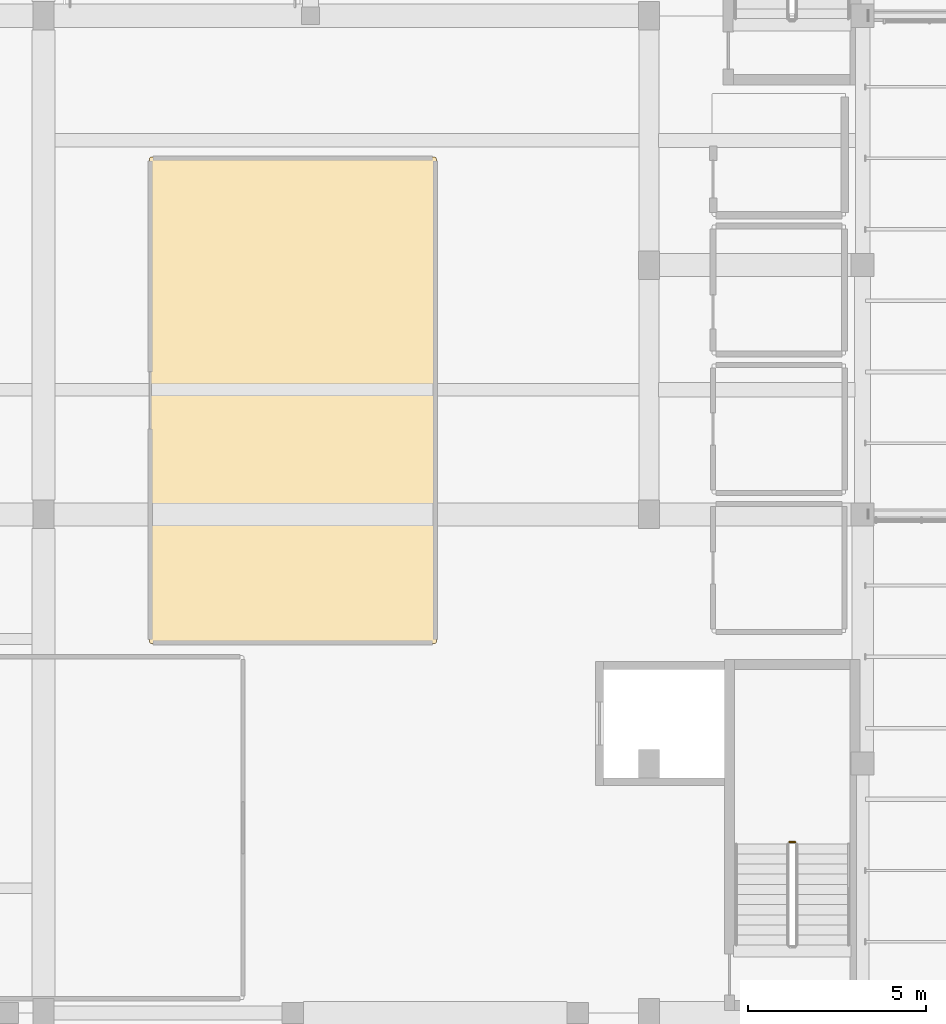
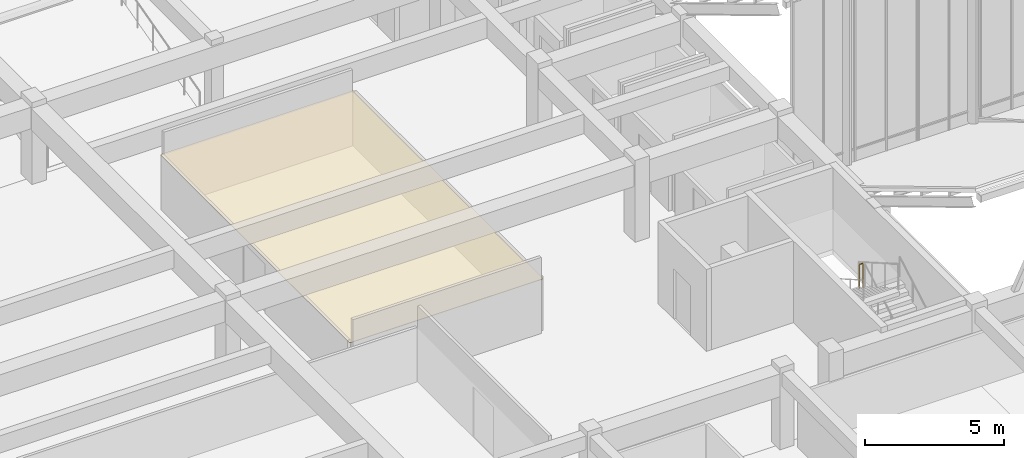
# One storey, part 148 of 155: 1 covering, 1 railing.
"""IFC4 building model written with IfcOpenShell, lengths in metres."""

from ifc_helpers import new_model, si_unit, direction, frame, origin, origin_2d, place, context, subcontext, project, spatial, polyline, circle, outline, extrude, material, layer, layer_set, type_object, element, save


model = new_model("IFC4")

# Units and contexts
model_context = context("Model", 3, precision=1e-05, world=origin(), true_north=direction((0.0, 1.0)))
body_context = subcontext(model_context, "Body", "Model", "MODEL_VIEW")
ifc_project = project(units=[si_unit("LENGTHUNIT", "METRE"), si_unit("AREAUNIT", "SQUARE_METRE"), si_unit("VOLUMEUNIT", "CUBIC_METRE"), si_unit("PLANEANGLEUNIT", "RADIAN"), si_unit("MASSUNIT", "GRAM", prefix="KILO")], contexts=[model_context])

# Site, building, storey
site_placement = place(None, origin())
site = spatial("IfcSite", under=ifc_project, at=site_placement, CompositionType="ELEMENT")
building_placement = place(site_placement, origin())
building = spatial("IfcBuilding", under=site, at=building_placement, Name="Larkveld Mobility Hub", CompositionType="ELEMENT")
storey_placement = place(building_placement, frame((0.0, 0.0, 8.39990234375)))
storey = spatial("IfcBuildingStorey", under=building, at=storey_placement, Name="L02", CompositionType="ELEMENT", Elevation=8.39990234375)

# Covering
ifc_material_1 = material(Name="Moisture-resistant gypsum board ceiling", Category="masonry")
ifc_layer = layer(ifc_material_1, 0.02490234375, Name="Moisture-resistant gypsum board ceiling", Category="masonry")
ifc_layer_set = layer_set([ifc_layer], Name="Moisture-resistant gypsum board ceiling")
covering_type = type_object("IfcCoveringType", Name="CV-CLG-025", PredefinedType="CEILING", material=ifc_layer_set)
covering_placement = place(storey_placement, frame((0.0, 0.0, 2.3251953125)))
element("IfcCovering", 1, at=covering_placement, inside=storey, type_object=covering_type, Name="Smart-Card Travel Kiosk Shop Acoustic Ceiling 029", PredefinedType="CEILING", context=body_context, shape_type="SweptSolid", body=[
    extrude(outline(polyline([(132.02001953125, 38.3701171875), (132.01708984375, 38.3701171875), (132.013916015625, 38.37109375), (132.010986328125, 38.37109375), (132.009033203125, 38.3720703125), (132.006103515625, 38.3740234375), (132.0029296875, 38.375), (132.0009765625, 38.376953125), (131.9990234375, 38.37890625), (131.97900390625, 38.39892578125), (131.97705078125, 38.40087890625), (131.97509765625, 38.403076171875), (131.97412109375, 38.406005859375), (131.971923828125, 38.408935546875), (131.970947265625, 38.410888671875), (131.970947265625, 38.4140625), (131.969970703125, 38.4169921875), (131.969970703125, 38.419921875), (131.971923828125, 51.989013671875), (131.972900390625, 51.992919921875), (131.972900390625, 51.99609375), (131.97412109375, 51.9990234375), (131.97509765625, 52.0009765625), (131.97607421875, 52.00390625), (131.97802734375, 52.007080078125), (131.97998046875, 52.009033203125), (131.98193359375, 52.010986328125), (131.98388671875, 52.012939453125), (131.987060546875, 52.014892578125), (132.0048828125, 52.02587890625), (132.007080078125, 52.027099609375), (132.009033203125, 52.028076171875), (132.011962890625, 52.029052734375), (132.014892578125, 52.030029296875), (132.01708984375, 52.030029296875), (132.02001953125, 52.030029296875), (139.989013671875, 52.028076171875), (139.992919921875, 52.027099609375), (139.99609375, 52.027099609375), (139.9990234375, 52.02587890625), (140.0009765625, 52.02490234375), (140.00390625, 52.02392578125), (140.007080078125, 52.02197265625), (140.009033203125, 52.02001953125), (140.010986328125, 52.01806640625), (140.012939453125, 52.01611328125), (140.014892578125, 52.012939453125), (140.02587890625, 51.9951171875), (140.027099609375, 51.992919921875), (140.028076171875, 51.990966796875), (140.029052734375, 51.988037109375), (140.030029296875, 51.985107421875), (140.030029296875, 51.98291015625), (140.030029296875, 51.97998046875), (140.028076171875, 38.410888671875), (140.027099609375, 38.406982421875), (140.027099609375, 38.404052734375), (140.02587890625, 38.40087890625), (140.02490234375, 38.39892578125), (140.02392578125, 38.39599609375), (140.02197265625, 38.39306640625), (140.02001953125, 38.39111328125), (140.01806640625, 38.388916015625), (140.01611328125, 38.386962890625), (140.012939453125, 38.385009765625), (139.9951171875, 38.3740234375), (139.992919921875, 38.373046875), (139.989990234375, 38.3720703125), (139.986083984375, 38.37109375), (139.98291015625, 38.3701171875), (139.97998046875, 38.3701171875), (132.02001953125, 38.3701171875)])), origin(), (0.0, 0.0, 1.0), 0.02490234375),
])

# Railing
ifc_material_2 = material(Name="Galvanized Steel S355JR balustrade", Category="steel")
railing_type = type_object("IfcRailingType", Name="RL-GRD-1100", PredefinedType="GUARDRAIL", material=ifc_material_2)
railing_placement = place(storey_placement, frame((150.10009765625, 32.800048828125, 1.800048828125)))
element("IfcRailing", 2, at=railing_placement, inside=storey, type_object=railing_type, Name="L02 ST1 stair guard 2", PredefinedType="GUARDRAIL", context=body_context, shape_type="SweptSolid", body=[
    extrude(circle(Radius=0.02392578125, at=origin_2d()), frame((0.0, 0.0, 1.076171875), z_axis=(-1.0, 0.0, 0.0), x_axis=(0.0, -1.0, 0.0)), (0.0, 0.0, 1.0), 0.150146484375),
    extrude(circle(Radius=0.02099609375, at=origin_2d()), origin(), (0.0, 0.0, 1.0), 1.052001953125),
    extrude(circle(Radius=0.02099609375, at=origin_2d()), frame((-0.150146484375, 0.0, 0.0)), (0.0, 0.0, 1.0), 1.052001953125),
])

save(model, "model.ifc")
